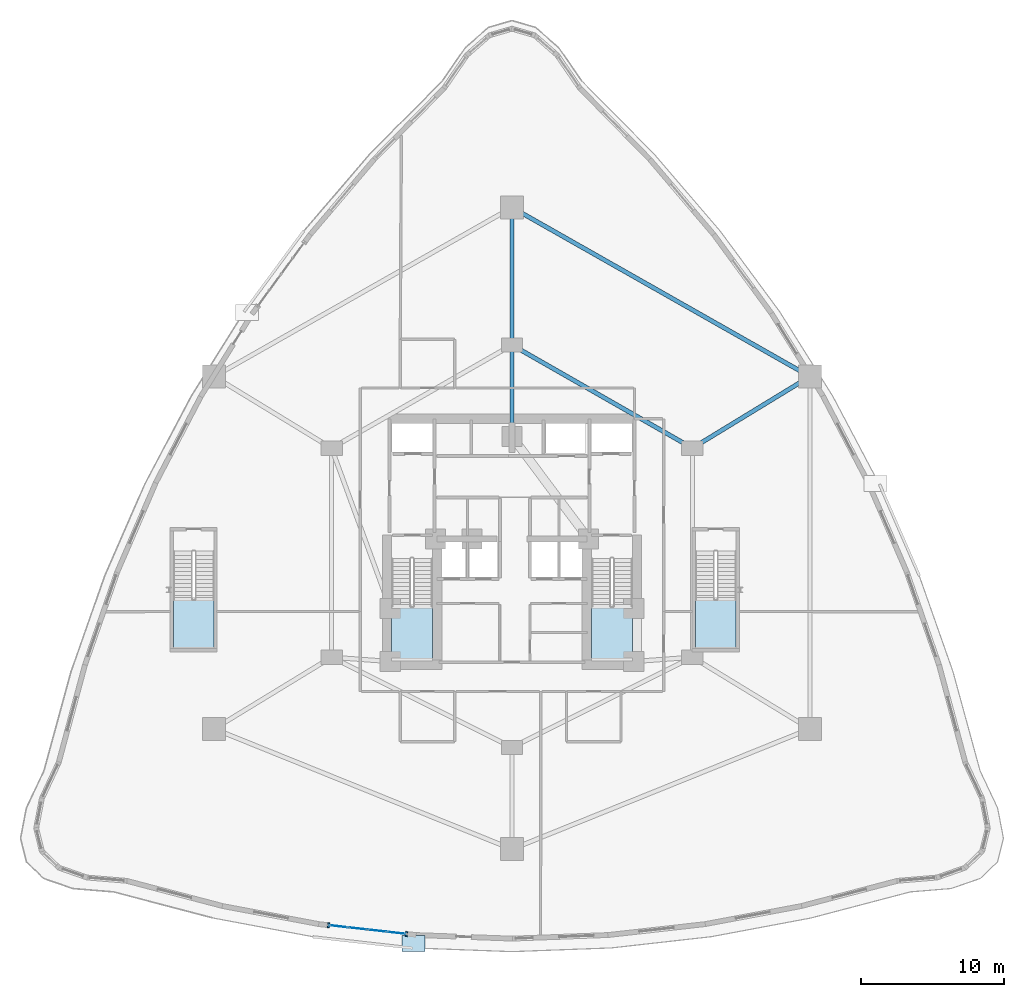
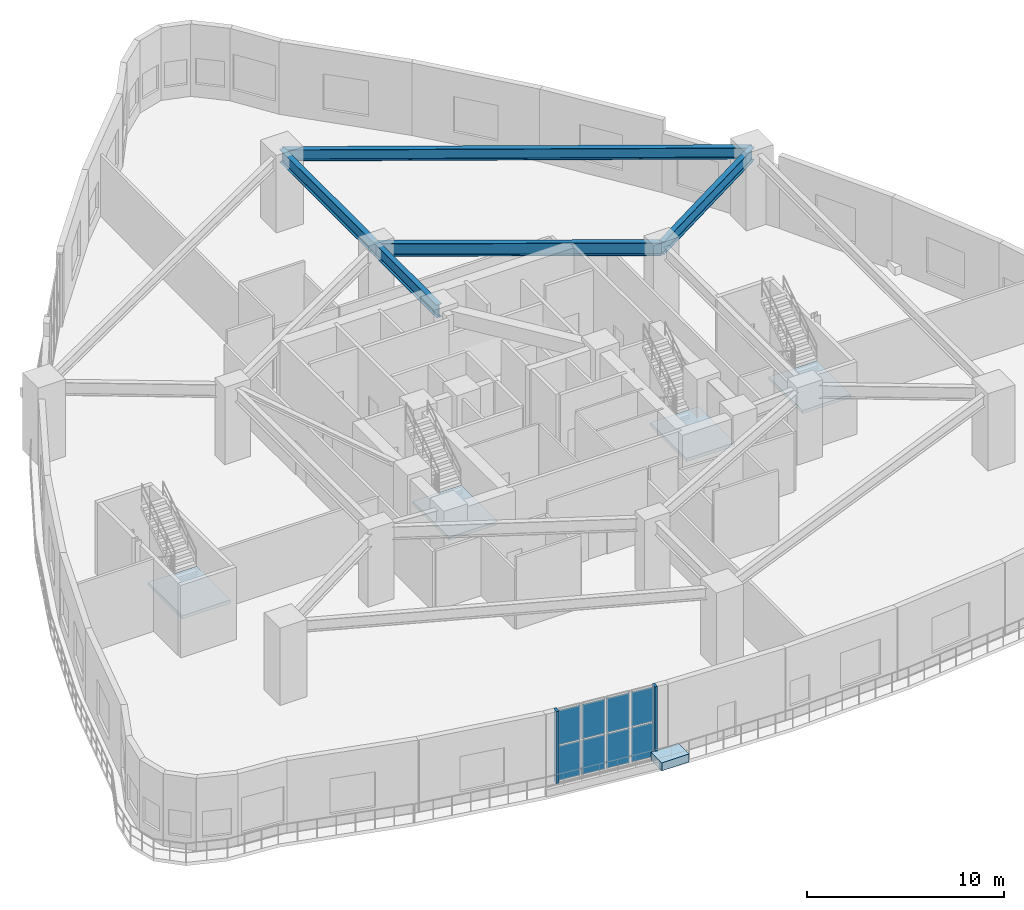
# One storey, part 11 of 23: 10 plates, 5 beams, 5 slabs, 5 elements without a shape of their own.
"""IFC4 building model written with IfcOpenShell, lengths in metres."""

from ifc_helpers import new_model, si_unit, direction, frame, origin, origin_2d, place, context, subcontext, project, spatial, polyline, rectangle, i_section, outline, extrude, material, layer, layer_set, material_profile, profile_set, type_object, element, aggregate, save


model = new_model("IFC4")

# Units and contexts
model_context = context("Model", 3, precision=1e-05, world=origin(), true_north=direction((0.0, 1.0)))
body_context = subcontext(model_context, "Body", "Model", "MODEL_VIEW")
ifc_project = project(units=[si_unit("LENGTHUNIT", "METRE"), si_unit("AREAUNIT", "SQUARE_METRE"), si_unit("VOLUMEUNIT", "CUBIC_METRE"), si_unit("PLANEANGLEUNIT", "RADIAN"), si_unit("MASSUNIT", "GRAM", prefix="KILO")], contexts=[model_context])

# Site, building, storey
site_placement = place(None, origin())
site = spatial("IfcSite", under=ifc_project, at=site_placement, CompositionType="ELEMENT")
building_placement = place(site_placement, origin())
building = spatial("IfcBuilding", under=site, at=building_placement, Name="Miruveldt Soraemaru", CompositionType="ELEMENT")
storey_placement = place(building_placement, frame((0.0, 0.0, 14.39990234375)))
storey = spatial("IfcBuildingStorey", under=building, at=storey_placement, Name="L04", CompositionType="ELEMENT", Elevation=14.39990234375)

# Beams
ifc_material_1 = material(Name="Steel SM355 (355 MPa)", Category="steel")
ifc_material_profile_1 = material_profile(ifc_material_1, i_section(OverallWidth=0.300048828125, OverallDepth=0.699951171875, WebThickness=0.012939453125, FlangeThickness=0.02392578125, FilletRadius=0.028076171875, at=origin_2d()), Name="Steel SM355 (355 MPa)", Category="steel")
ifc_profile_set_1 = profile_set([ifc_material_profile_1], Name="Steel SM355 (355 MPa)")
beam_type_1 = type_object("IfcBeamType", Name="BM-ST-H700", PredefinedType="BEAM", material=ifc_profile_set_1)
beam_1_placement = place(storey_placement, frame((44.0, 67.199951171875, 4.150146484375), z_axis=(0.869782551993, -0.493435215858, 0.0), x_axis=(0.493435215858, 0.869782551993, 0.0)))
element("IfcBeam", 1, at=beam_1_placement, inside=storey, type_object=beam_type_1, Name="L04 Podium Ring Girder 1", PredefinedType="BEAM", context=body_context, shape_type="SweptSolid", body=[
    extrude(i_section(OverallWidth=0.300048828125, OverallDepth=0.699951171875, WebThickness=0.012939453125, FlangeThickness=0.02392578125, FilletRadius=0.028076171875, at=origin_2d()), origin(), (0.0, 0.0, 1.0), 23.9140625),
])
ifc_material_2 = material(Name="Steel S460 (460 MPa)", Category="steel")
ifc_material_profile_2 = material_profile(ifc_material_2, i_section(OverallWidth=0.300048828125, OverallDepth=0.800048828125, WebThickness=0.013916015625, FlangeThickness=0.02587890625, FilletRadius=0.028076171875, at=origin_2d()), Name="Steel S460 (460 MPa)", Category="steel")
ifc_profile_set_2 = profile_set([ifc_material_profile_2], Name="Steel S460 (460 MPa)")
beam_type_2 = type_object("IfcBeamType", Name="BM-ST-H800", PredefinedType="BEAM", material=ifc_profile_set_2)
beam_2_placement = place(storey_placement, frame((44.0, 57.60009765625, 4.10009765625), z_axis=(0.868239001029, -0.496146185203, 0.0), x_axis=(0.496146185203, 0.868239001029, 0.0)))
element("IfcBeam", 2, at=beam_2_placement, inside=storey, type_object=beam_type_2, Name="L04 Inner Ring Girder 1", PredefinedType="BEAM", context=body_context, shape_type="SweptSolid", body=[
    extrude(i_section(OverallWidth=0.300048828125, OverallDepth=0.800048828125, WebThickness=0.013916015625, FlangeThickness=0.02587890625, FilletRadius=0.028076171875, at=origin_2d()), origin(), (0.0, 0.0, 1.0), 14.51220703125),
])
beam_3_placement = place(storey_placement, frame((44.0, 51.199951171875, 4.10009765625), z_axis=(0.0, 1.0, 0.0), x_axis=(-1.0, 0.0, 0.0)))
element("IfcBeam", 3, at=beam_3_placement, inside=storey, type_object=beam_type_2, Name="L04 Core-to-Inner Radial Girder 1", PredefinedType="BEAM", context=body_context, shape_type="SweptSolid", body=[
    extrude(i_section(OverallWidth=0.300048828125, OverallDepth=0.800048828125, WebThickness=0.013916015625, FlangeThickness=0.02587890625, FilletRadius=0.028076171875, at=origin_2d()), origin(), (0.0, 0.0, 1.0), 6.400146484375),
])
beam_4_placement = place(storey_placement, frame((44.0, 57.60009765625, 4.10009765625), z_axis=(0.0, 1.0, 0.0), x_axis=(-1.0, 0.0, 0.0)))
element("IfcBeam", 4, at=beam_4_placement, inside=storey, type_object=beam_type_2, Name="L04 Podium Radial Girder 1", PredefinedType="BEAM", context=body_context, shape_type="SweptSolid", body=[
    extrude(i_section(OverallWidth=0.300048828125, OverallDepth=0.800048828125, WebThickness=0.013916015625, FlangeThickness=0.02587890625, FilletRadius=0.028076171875, at=origin_2d()), origin(), (0.0, 0.0, 1.0), 9.599853515625),
])
beam_5_placement = place(storey_placement, frame((56.60009765625, 50.39990234375, 4.10009765625), z_axis=(0.853794797843, 0.520609684098, 0.0), x_axis=(-0.520609684098, 0.853794797843, 0.0)))
element("IfcBeam", 5, at=beam_5_placement, inside=storey, type_object=beam_type_2, Name="L04 Podium Radial Girder 2", PredefinedType="BEAM", context=body_context, shape_type="SweptSolid", body=[
    extrude(i_section(OverallWidth=0.300048828125, OverallDepth=0.800048828125, WebThickness=0.013916015625, FlangeThickness=0.02587890625, FilletRadius=0.028076171875, at=origin_2d()), origin(), (0.0, 0.0, 1.0), 9.60400390625),
])

# Curtain wall, plates
ifc_material_3 = material(Name="Anodised aluminium EN AW-6063 T6", Category="aluminium")
ifc_layer_1 = layer(ifc_material_3, 0.219970703125, Name="Anodised aluminium EN AW-6063 T6", Category="aluminium")
ifc_layer_set_1 = layer_set([ifc_layer_1], Name="Anodised aluminium EN AW-6063 T6")
curtain_wall_type = type_object("IfcCurtainWallType", Name="CW-SYS-2", PredefinedType="USERDEFINED", material=ifc_layer_set_1)
curtain_wall_placement = place(storey_placement, origin())
curtain_wall = element("IfcCurtainWall", 6, at=curtain_wall_placement, inside=storey, type_object=curtain_wall_type, Name="L04 Curtain Wall Bay 23", ObjectType="STOREFRONT", PredefinedType="USERDEFINED")
ifc_material_4 = material(Name="Triple low-e insulated glazing", Category="glass")
ifc_layer_2 = layer(ifc_material_4, 0.031982421875, Name="Triple low-e insulated glazing", Category="glass")
ifc_layer_set_2 = layer_set([ifc_layer_2], Name="Triple low-e insulated glazing")
plate_type_1 = type_object("IfcPlateType", Name="CWP-2", PredefinedType="CURTAIN_PANEL", material=ifc_layer_set_2)
plate_1_placement = place(storey_placement, frame((31.88623046875, 17.0107421875, 0.0751953125), z_axis=(0.0, 0.0, 1.0), x_axis=(0.993731899943, -0.111789583755, 0.0)))
plate_1 = element("IfcPlate", 7, at=plate_1_placement, type_object=plate_type_1, Name="CW-2 panel 1.1", PredefinedType="CURTAIN_PANEL", context=body_context, shape_type="SweptSolid", body=[
    extrude(rectangle(XDim=1.255126953125, YDim=0.031982421875, at=origin_2d()), origin(), (0.0, 0.0, 1.0), 2.137451171875),
])
plate_2_placement = place(storey_placement, frame((31.88623046875, 17.0107421875, 2.28759765625), z_axis=(0.0, 0.0, 1.0), x_axis=(0.993731899943, -0.111789583755, 0.0)))
plate_2 = element("IfcPlate", 8, at=plate_2_placement, type_object=plate_type_1, Name="CW-2 panel 1.2", PredefinedType="CURTAIN_PANEL", context=body_context, shape_type="SweptSolid", body=[
    extrude(rectangle(XDim=1.255126953125, YDim=0.031982421875, at=origin_2d()), origin(), (0.0, 0.0, 1.0), 2.137451171875),
])
plate_3_placement = place(storey_placement, frame((33.2265625, 16.85986328125, 0.0751953125), z_axis=(0.0, 0.0, 1.0), x_axis=(0.993731899943, -0.111789583755, 0.0)))
plate_3 = element("IfcPlate", 9, at=plate_3_placement, type_object=plate_type_1, Name="CW-2 panel 2.1", PredefinedType="CURTAIN_PANEL", context=body_context, shape_type="SweptSolid", body=[
    extrude(rectangle(XDim=1.292724609375, YDim=0.031982421875, at=origin_2d()), origin(), (0.0, 0.0, 1.0), 2.137451171875),
])
plate_4_placement = place(storey_placement, frame((33.2265625, 16.85986328125, 2.28759765625), z_axis=(0.0, 0.0, 1.0), x_axis=(0.993731899943, -0.111789583755, 0.0)))
plate_4 = element("IfcPlate", 10, at=plate_4_placement, type_object=plate_type_1, Name="CW-2 panel 2.2", PredefinedType="CURTAIN_PANEL", context=body_context, shape_type="SweptSolid", body=[
    extrude(rectangle(XDim=1.292724609375, YDim=0.031982421875, at=origin_2d()), origin(), (0.0, 0.0, 1.0), 2.137451171875),
])
plate_5_placement = place(storey_placement, frame((34.5859375, 16.70703125, 0.0751953125), z_axis=(0.0, 0.0, 1.0), x_axis=(0.993731899943, -0.111789583755, 0.0)))
plate_5 = element("IfcPlate", 11, at=plate_5_placement, type_object=plate_type_1, Name="CW-2 panel 3.1", PredefinedType="CURTAIN_PANEL", context=body_context, shape_type="SweptSolid", body=[
    extrude(rectangle(XDim=1.292724609375, YDim=0.031982421875, at=origin_2d()), origin(), (0.0, 0.0, 1.0), 2.137451171875),
])
plate_6_placement = place(storey_placement, frame((34.5859375, 16.70703125, 2.28759765625), z_axis=(0.0, 0.0, 1.0), x_axis=(0.993731899943, -0.111789583755, 0.0)))
plate_6 = element("IfcPlate", 12, at=plate_6_placement, type_object=plate_type_1, Name="CW-2 panel 3.2", PredefinedType="CURTAIN_PANEL", context=body_context, shape_type="SweptSolid", body=[
    extrude(rectangle(XDim=1.292724609375, YDim=0.031982421875, at=origin_2d()), origin(), (0.0, 0.0, 1.0), 2.137451171875),
])
plate_7_placement = place(storey_placement, frame((35.92626953125, 16.55615234375, 0.0751953125), z_axis=(0.0, 0.0, 1.0), x_axis=(0.993731899943, -0.111789583755, 0.0)))
plate_7 = element("IfcPlate", 13, at=plate_7_placement, type_object=plate_type_1, Name="CW-2 panel 4.1", PredefinedType="CURTAIN_PANEL", context=body_context, shape_type="SweptSolid", body=[
    extrude(rectangle(XDim=1.255126953125, YDim=0.031982421875, at=origin_2d()), origin(), (0.0, 0.0, 1.0), 2.137451171875),
])
plate_8_placement = place(storey_placement, frame((35.92626953125, 16.55615234375, 2.28759765625), z_axis=(0.0, 0.0, 1.0), x_axis=(0.993731899943, -0.111789583755, 0.0)))
plate_8 = element("IfcPlate", 14, at=plate_8_placement, type_object=plate_type_1, Name="CW-2 panel 4.2", PredefinedType="CURTAIN_PANEL", context=body_context, shape_type="SweptSolid", body=[
    extrude(rectangle(XDim=1.255126953125, YDim=0.031982421875, at=origin_2d()), origin(), (0.0, 0.0, 1.0), 2.137451171875),
])
aggregate(curtain_wall, [plate_1, plate_2, plate_3, plate_4, plate_5, plate_6, plate_7, plate_8])

# Plates
ifc_layer_3 = layer(ifc_material_3, 0.030029296875, Name="Anodised aluminium EN AW-6063 T6", Category="aluminium")
ifc_layer_set_3 = layer_set([ifc_layer_3], Name="Anodised aluminium EN AW-6063 T6")
plate_type_2 = type_object("IfcPlateType", Name="PLT-JAMB-30", PredefinedType="SHEET", material=ifc_layer_set_3)
for number, where, z_axis, x_axis, name in (
    (15, (31.18798828125, 17.089111328125, 0.0), (0.0, 0.0, 1.0), (0.993730900023, -0.111798471993, 0.0), "L04 Curtain Wall Jamb Closure Trim 23JL"),
    (16, (36.62451171875, 16.4775390625, 0.0), (0.0, 0.0, 1.0), (0.993730900023, -0.111798471993, 0.0), "L04 Curtain Wall Jamb Closure Trim 23JR"),
):
    element("IfcPlate", number, at=place(storey_placement, frame(where, z_axis=z_axis, x_axis=x_axis)), inside=storey, type_object=plate_type_2, Name=name, PredefinedType="SHEET", context=body_context, shape_type="SweptSolid", body=[
        extrude(rectangle(XDim=0.139892578125, YDim=0.340087890625, at=origin_2d()), origin(), (0.0, 0.0, 1.0), 4.5),
    ])

# Stair, slab
ifc_material_5 = material(Name="Concrete C40/50 (40 MPa)", Category="concrete")
stair_type_1 = type_object("IfcStairType", Name="STAIR-DL-480", PredefinedType="HALF_TURN_STAIR", material=ifc_material_5)
stair_1_placement = place(storey_placement, origin())
stair_1 = element("IfcStair", 17, at=stair_1_placement, inside=storey, type_object=stair_type_1, Name="L04 Protected Exit Stair ST-1", PredefinedType="HALF_TURN_STAIR")
ifc_layer_4 = layer(ifc_material_5, 0.199951171875, Name="Concrete C40/50 (40 MPa)", Category="concrete")
ifc_layer_set_4 = layer_set([ifc_layer_4], Name="Concrete C40/50 (40 MPa)")
slab_type_1 = type_object("IfcSlabType", Name="SLAB-LAND-200", PredefinedType="LANDING", material=ifc_layer_set_4)
slab_1_placement = place(storey_placement, frame((0.0, 0.0, 2.2001953125)))
slab_1 = element("IfcSlab", 18, at=slab_1_placement, type_object=slab_type_1, Name="ST-1 landing 1", PredefinedType="LANDING", context=body_context, shape_type="SweptSolid", body=[
    extrude(outline(polyline([(35.60009765625, 39.35791015625), (35.60009765625, 35.64990234375), (38.449951171875, 35.64990234375), (38.449951171875, 39.35791015625), (35.60009765625, 39.35791015625)])), origin(), (0.0, 0.0, 1.0), 0.199951171875),
])
aggregate(stair_1, [slab_1])

stair_2_placement = place(storey_placement, origin())
stair_2 = element("IfcStair", 19, at=stair_2_placement, inside=storey, type_object=stair_type_1, Name="L04 Protected Exit Stair ST-2", PredefinedType="HALF_TURN_STAIR")
slab_2_placement = place(storey_placement, frame((0.0, 0.0, 2.2001953125)))
slab_2 = element("IfcSlab", 20, at=slab_2_placement, type_object=slab_type_1, Name="ST-2 landing 1", PredefinedType="LANDING", context=body_context, shape_type="SweptSolid", body=[
    extrude(outline(polyline([(49.550048828125, 39.35791015625), (49.550048828125, 35.64990234375), (52.39990234375, 35.64990234375), (52.39990234375, 39.35791015625), (49.550048828125, 39.35791015625)])), origin(), (0.0, 0.0, 1.0), 0.199951171875),
])
aggregate(stair_2, [slab_2])

stair_3_placement = place(storey_placement, origin())
stair_3 = element("IfcStair", 21, at=stair_3_placement, inside=storey, type_object=stair_type_1, Name="L04 Podium Protected Exit Stair ST-3", PredefinedType="HALF_TURN_STAIR")
slab_3_placement = place(storey_placement, frame((0.0, 0.0, 2.2001953125)))
slab_3 = element("IfcSlab", 22, at=slab_3_placement, type_object=slab_type_1, Name="ST-3 landing 1", PredefinedType="LANDING", context=body_context, shape_type="SweptSolid", body=[
    extrude(outline(polyline([(20.35009765625, 39.85791015625), (20.35009765625, 36.39990234375), (23.199951171875, 36.39990234375), (23.199951171875, 39.85791015625), (20.35009765625, 39.85791015625)])), origin(), (0.0, 0.0, 1.0), 0.199951171875),
])
aggregate(stair_3, [slab_3])

ifc_material_6 = material(Name="Steel S355 (355 MPa)", Category="steel")
stair_type_2 = type_object("IfcStairType", Name="STAIR-FEAT-STR", PredefinedType="TWO_STRAIGHT_RUN_STAIR", material=ifc_material_6)
stair_4_placement = place(storey_placement, origin())
stair_4 = element("IfcStair", 23, at=stair_4_placement, inside=storey, type_object=stair_type_2, Name="L04 Podium Garden Feature Stair ST-4", PredefinedType="TWO_STRAIGHT_RUN_STAIR")
slab_4_placement = place(storey_placement, frame((0.0, 0.0, 2.2001953125)))
slab_4 = element("IfcSlab", 24, at=slab_4_placement, type_object=slab_type_1, Name="ST-4 landing 1", PredefinedType="LANDING", context=body_context, shape_type="SweptSolid", body=[
    extrude(outline(polyline([(56.800048828125, 39.85791015625), (56.800048828125, 36.39990234375), (59.64990234375, 36.39990234375), (59.64990234375, 39.85791015625), (56.800048828125, 39.85791015625)])), origin(), (0.0, 0.0, 1.0), 0.199951171875),
])
aggregate(stair_4, [slab_4])

# Slab
ifc_material_7 = material(Name="Precast concrete C45/55 (45 MPa)", Category="concrete")
ifc_layer_5 = layer(ifc_material_7, 0.179931640625, Name="Precast concrete C45/55 (45 MPa)", Category="concrete")
ifc_layer_set_5 = layer_set([ifc_layer_5], Name="Precast concrete C45/55 (45 MPa)")
slab_type_2 = type_object("IfcSlabType", Name="SLAB-PLTR-180", PredefinedType="USERDEFINED", material=ifc_layer_set_5)
slab_5_placement = place(storey_placement, origin())
element("IfcSlab", 25, at=slab_5_placement, inside=storey, type_object=slab_type_2, Name="L04 Terrace Planter Bed PLANTER 2", ObjectType="PLANTER", PredefinedType="USERDEFINED", context=body_context, shape_type="SweptSolid", body=[
    extrude(outline(polyline([(36.324951171875, 15.259033203125), (37.925048828125, 15.259033203125), (37.925048828125, 16.35888671875), (36.324951171875, 16.35888671875), (36.324951171875, 15.259033203125)])), origin(), (0.0, 0.0, 1.0), 0.5),
])

save(model, "model.ifc")
